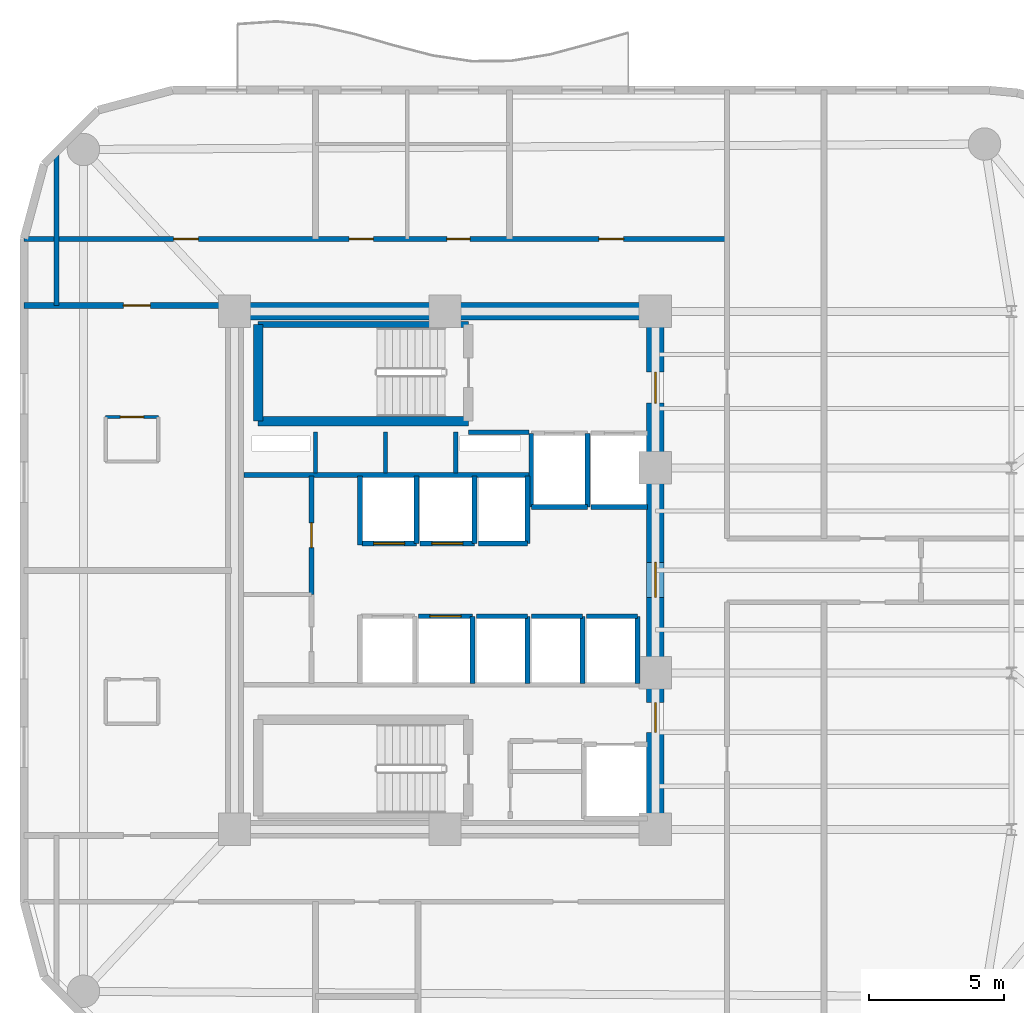
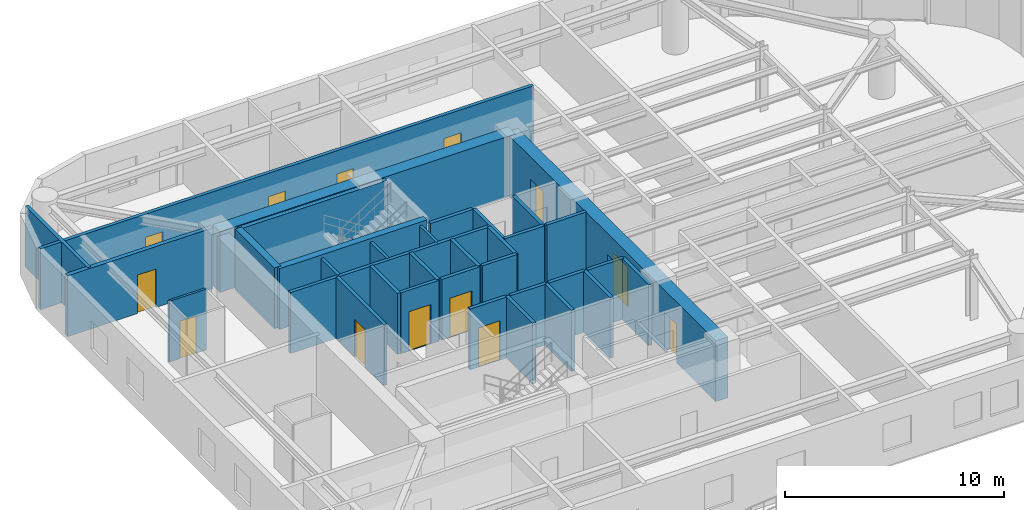
# One storey, part 11 of 15: 34 walls, 13 doors, 13 openings.
"""IFC4 building model written with IfcOpenShell, lengths in metres."""

import ifcopenshell
import ifcopenshell.guid

model = None  # the IFC model being written
_history = None  # IfcOwnerHistory: only IFC2X3 demands one
_inside = {}  # id of a spatial element -> (the spatial element, [elements in it])
_under = {}  # id of a project, library or spatial element -> (it, [spatial elements below it])
_declared = {}  # id of a project -> (the project, [libraries it declares])
_typed = {}  # id of a type object -> (the type object, [elements of that type])
_made_of = {}  # id of a material, layer set ... -> (it, [elements and type objects made of it])


def new_model(schema):
    """Start an empty IFC model of exactly this schema.

    Asked for "IFC4X3", IfcOpenShell would pick the latest addendum, in which some entities
    have other attributes; the version numbers below select the first issue.
    IFC2X3 requires an IfcOwnerHistory on every rooted entity: one is made here for all.
    """
    global model, _history
    if schema == "IFC4X3":
        model = ifcopenshell.file(schema_version=(4, 3, 0, 0))
    else:
        model = ifcopenshell.file(schema=schema)
    _inside.clear()
    _under.clear()
    _declared.clear()
    _typed.clear()
    _made_of.clear()
    _history = None
    if model.schema == "IFC2X3":
        org = make("IfcOrganization", Name="unknown")
        user = make(
            "IfcPersonAndOrganization",
            ThePerson=make("IfcPerson", FamilyName="unknown"),
            TheOrganization=org,
        )
        app = make(
            "IfcApplication",
            ApplicationDeveloper=org,
            Version="unknown",
            ApplicationFullName="unknown",
            ApplicationIdentifier="unknown",
        )
        _history = make(
            "IfcOwnerHistory",
            OwningUser=user,
            OwningApplication=app,
            ChangeAction="ADDED",
            CreationDate=0,
        )
    return model


def make(cls, **values):
    """One entity of the class cls with the attributes given. An attribute that is None is left unset."""
    return model.create_entity(
        cls, **{name: value for name, value in values.items() if value is not None}
    )


def rooted(cls, **values):
    """An entity with a GlobalId (a new one), such as an element, a storey or a relation."""
    return make(cls, GlobalId=ifcopenshell.guid.new(), OwnerHistory=_history, **values)


def si_unit(unit_type, name, prefix=None):
    """IfcSIUnit, for example si_unit("LENGTHUNIT", "METRE", prefix="MILLI")."""
    return make("IfcSIUnit", UnitType=unit_type, Prefix=prefix, Name=name)


def assignment(units):
    """IfcUnitAssignment: the units of a project."""
    return None if units is None else make("IfcUnitAssignment", Units=units)


def point(xyz):
    """IfcCartesianPoint."""
    return None if xyz is None else make("IfcCartesianPoint", Coordinates=xyz)


def direction(xyz):
    """IfcDirection."""
    return None if xyz is None else make("IfcDirection", DirectionRatios=xyz)


def frame(location, z_axis=None, x_axis=None):
    """IfcAxis2Placement3D, a coordinate frame: its origin and axes. An axis left out is left unset."""
    return make(
        "IfcAxis2Placement3D",
        Location=point(location),
        Axis=direction(z_axis),
        RefDirection=direction(x_axis),
    )


def frame_2d(location, x_axis=None):
    """IfcAxis2Placement2D, a coordinate frame in the plane: its origin and x axis."""
    return make(
        "IfcAxis2Placement2D", Location=point(location), RefDirection=direction(x_axis)
    )


def origin():
    """The frame at (0, 0, 0) with its axes left unset."""
    return frame((0.0, 0.0, 0.0))


def place(relative_to, where):
    """IfcLocalPlacement: puts the frame where relative to a parent placement (None: the world)."""
    return make(
        "IfcLocalPlacement", PlacementRelTo=relative_to, RelativePlacement=where
    )


def context(
    kind, dimensions, precision=None, world=None, true_north=None, identifier=None
):
    """IfcGeometricRepresentationContext, for example the 3D "Model" context."""
    return make(
        "IfcGeometricRepresentationContext",
        ContextIdentifier=identifier,
        ContextType=kind,
        CoordinateSpaceDimension=dimensions,
        Precision=precision,
        WorldCoordinateSystem=world,
        TrueNorth=true_north,
    )


def subcontext(parent, identifier, kind, view, scale=None):
    """IfcGeometricRepresentationSubContext, for example "Body" below "Model"."""
    return make(
        "IfcGeometricRepresentationSubContext",
        ContextIdentifier=identifier,
        ContextType=kind,
        ParentContext=parent,
        TargetScale=scale,
        TargetView=view,
    )


def project(units=None, contexts=None):
    """IfcProject with its units and contexts."""
    return rooted(
        "IfcProject",
        Name="project",
        RepresentationContexts=contexts,
        UnitsInContext=assignment(units),
    )


def spatial(cls, under=None, at=None, **own):
    """A site, building, storey or space (cls), placed at a placement, below another one or the project."""
    s = rooted(cls, ObjectPlacement=at, **own)
    if under is not None:
        _under.setdefault(under.id(), (under, []))[1].append(s)
    return s


def profile(cls, at=None, kind="AREA", **sizes):
    """A parametric profile (cls). Its sizes go by their IFC names, for example OverallWidth=200.0."""
    return make(cls, ProfileType=kind, Position=at, **sizes)


def rectangle(**sizes):
    """IfcRectangleProfileDef."""
    return profile("IfcRectangleProfileDef", **sizes)


def extrude(swept, where, along, depth):
    """IfcExtrudedAreaSolid: the profile swept, set in the frame where, extruded along a direction by depth."""
    return make(
        "IfcExtrudedAreaSolid",
        SweptArea=swept,
        Position=where,
        ExtrudedDirection=direction(along),
        Depth=depth,
    )


def shape(context_of_items, identifier, shape_type, items):
    """IfcShapeRepresentation: the items that make up one representation, for example the "Body"."""
    return make(
        "IfcShapeRepresentation",
        ContextOfItems=context_of_items,
        RepresentationIdentifier=identifier,
        RepresentationType=shape_type,
        Items=items,
    )


def material(Name=None, Category=None):
    """IfcMaterial."""
    return make("IfcMaterial", Name=Name, Category=Category)


def layer(
    of_material, thickness, ventilated=None, Name=None, Category=None, Priority=None
):
    """IfcMaterialLayer: one layer of a wall or slab, of a material (None: an air gap)."""
    return make(
        "IfcMaterialLayer",
        Material=of_material,
        LayerThickness=thickness,
        IsVentilated=ventilated,
        Name=Name,
        Category=Category,
        Priority=Priority,
    )


def layer_set(layers, Name=None):
    """IfcMaterialLayerSet."""
    return make("IfcMaterialLayerSet", MaterialLayers=layers, LayerSetName=Name)


def made_of(thing, what):
    """Note that an element or type object is made of a material, layer set ...; save() writes the relation."""
    if what is not None:
        _made_of.setdefault(what.id(), (what, []))[1].append(thing)
    return thing


def type_object(cls, material=None, **own):
    """A type object (cls), such as IfcWallType, which elements share."""
    return made_of(rooted(cls, **own), material)


def element(
    cls,
    number,
    at=None,
    inside=None,
    cuts=None,
    type_object=None,
    material=None,
    context=None,
    identifier="Body",
    shape_type=None,
    held_by="IfcProductDefinitionShape",
    body=None,
    shapes=None,
    **own,
):
    """One element of the class cls, such as IfcWall. Its Tag is "e" and its number.

    at: its placement. inside: the storey or other place that contains it. cuts: it is an
    opening in that element (IfcRelVoidsElement). A single representation is given by context,
    identifier, shape_type and body (its items); several are given by shapes. held_by: the class
    of the entity that holds the representations. save() writes the other relations.
    """
    e = rooted(cls, Tag="e%d" % number, ObjectPlacement=at, **own)
    if body is not None:
        shapes = [shape(context, identifier, shape_type, body)]
    if shapes is not None:
        e.Representation = make(held_by, Representations=shapes)
    if inside is not None:
        _inside.setdefault(inside.id(), (inside, []))[1].append(e)
    if cuts is not None:
        rooted(
            "IfcRelVoidsElement", RelatingBuildingElement=cuts, RelatedOpeningElement=e
        )
    if type_object is not None:
        _typed.setdefault(type_object.id(), (type_object, []))[1].append(e)
    return made_of(e, material)


def fill(opening, filler):
    """IfcRelFillsElement: the door or window that sits in an opening."""
    return rooted(
        "IfcRelFillsElement",
        RelatingOpeningElement=opening,
        RelatedBuildingElement=filler,
    )


def aggregate(whole, parts):
    """IfcRelAggregates: a whole, such as a stair, and the parts it consists of."""
    return rooted("IfcRelAggregates", RelatingObject=whole, RelatedObjects=parts)


def save(model, path):
    """Write the relations noted so far, then the file.

    IfcRelAggregates (storeys below a building ...), IfcRelContainedInSpatialStructure (elements
    in a storey), IfcRelDefinesByType, IfcRelAssociatesMaterial and IfcRelDeclares: one each for
    every whole, place, type object, material and project.
    """
    for whole, parts in _under.values():
        aggregate(whole, parts)
    for where, things in _inside.values():
        rooted(
            "IfcRelContainedInSpatialStructure",
            RelatedElements=things,
            RelatingStructure=where,
        )
    for kind, things in _typed.values():
        rooted("IfcRelDefinesByType", RelatedObjects=things, RelatingType=kind)
    for what, things in _made_of.values():
        rooted("IfcRelAssociatesMaterial", RelatedObjects=things, RelatingMaterial=what)
    for by, libraries in _declared.values():
        rooted("IfcRelDeclares", RelatingContext=by, RelatedDefinitions=libraries)
    model.write(path)


model = new_model("IFC4")

# Units and contexts
model_context = context("Model", 3, precision=1e-05, world=origin(), true_north=direction((0.0, 1.0)))
body_context = subcontext(model_context, "Body", "Model", "MODEL_VIEW")
ifc_project = project(units=[si_unit("LENGTHUNIT", "METRE"), si_unit("AREAUNIT", "SQUARE_METRE"), si_unit("VOLUMEUNIT", "CUBIC_METRE"), si_unit("PLANEANGLEUNIT", "RADIAN"), si_unit("MASSUNIT", "GRAM", prefix="KILO")], contexts=[model_context])

# Site, building, storey
site_placement = place(None, origin())
site = spatial("IfcSite", under=ifc_project, at=site_placement, CompositionType="ELEMENT")
building_placement = place(site_placement, origin())
building = spatial("IfcBuilding", under=site, at=building_placement, Name="An Khanh Terracotta Commons", CompositionType="ELEMENT")
storey_placement = place(building_placement, frame((0.0, 0.0, 176.199951171875)))
storey = spatial("IfcBuildingStorey", under=building, at=storey_placement, Name="L46", CompositionType="ELEMENT", Elevation=176.199951171875)

# Wall
ifc_material_1 = material(Name="Concrete C60/75", Category="concrete")
ifc_layer_1 = layer(ifc_material_1, 0.64990234375, Name="Concrete C60/75")
ifc_layer_set_1 = layer_set([ifc_layer_1], Name="Concrete C60/75")
wall_type_1 = type_object("IfcWallType", Name="WALL-CORE-650", PredefinedType="SHEAR", material=ifc_layer_set_1)
wall_1_placement = place(storey_placement, frame((21.60009765625, 33.60009765625, 0.0), z_axis=(0.0, 0.0, 1.0), x_axis=(1.0, 0.0, 0.0)))
element("IfcWall", 1, at=wall_1_placement, inside=storey, type_object=wall_type_1, Name="L46 Core Wall CWALL-L46-N", PredefinedType="SHEAR", context=body_context, shape_type="SweptSolid", body=[
    extrude(rectangle(XDim=15.599853515625, YDim=0.64990234375, at=frame_2d((7.7998046875, 0.0))), origin(), (0.0, 0.0, 1.0), 3.400146484375),
])

# Wall, openings, doors
wall_2_placement = place(storey_placement, frame((37.199951171875, 14.39990234375, 0.0), z_axis=(0.0, 0.0, 1.0), x_axis=(0.0, 1.0, 0.0)))
wall_2 = element("IfcWall", 2, at=wall_2_placement, inside=storey, type_object=wall_type_1, Name="L46 Core Wall CWALL-L46-E", PredefinedType="SHEAR", context=body_context, shape_type="SweptSolid", body=[
    extrude(rectangle(XDim=19.2001953125, YDim=0.64990234375, at=frame_2d((9.60009765625, 0.0))), origin(), (0.0, 0.0, 1.0), 3.400146484375),
])
opening_1_placement = place(wall_2_placement, frame((15.800048828125, 0.0, 0.0)))
opening_1 = element("IfcOpeningElement", 3, at=opening_1_placement, cuts=wall_2, Name="Opening D-FFL", PredefinedType="OPENING", context=body_context, shape_type="SweptSolid", body=[
    extrude(rectangle(XDim=1.14990234375, YDim=2.14990234375, at=frame_2d((0.574951171875, 1.074951171875))), frame((0.0, 0.3349609375, 0.0), z_axis=(0.0, -1.0, 0.0), x_axis=(1.0, 0.0, 0.0)), (0.0, 0.0, 1.0), 0.669921875),
])
opening_2_placement = place(wall_2_placement, frame((3.60009765625, 0.0, 0.0)))
opening_2 = element("IfcOpeningElement", 4, at=opening_2_placement, cuts=wall_2, Name="Opening D-ST", PredefinedType="OPENING", context=body_context, shape_type="SweptSolid", body=[
    extrude(rectangle(XDim=1.10009765625, YDim=2.14990234375, at=frame_2d((0.550048828125, 1.074951171875))), frame((0.0, 0.3349609375, 0.0), z_axis=(0.0, -1.0, 0.0), x_axis=(1.0, 0.0, 0.0)), (0.0, 0.0, 1.0), 0.669921875),
])
opening_3_placement = place(wall_2_placement, frame((8.60009765625, 0.0, 0.0)))
opening_3 = element("IfcOpeningElement", 5, at=opening_3_placement, cuts=wall_2, Name="Opening D-COR", PredefinedType="OPENING", context=body_context, shape_type="SweptSolid", body=[
    extrude(rectangle(XDim=1.300048828125, YDim=2.199951171875, at=frame_2d((0.64990234375, 1.10009765625))), frame((0.0, 0.3349609375, 0.0), z_axis=(0.0, -1.0, 0.0), x_axis=(1.0, 0.0, 0.0)), (0.0, 0.0, 1.0), 0.669921875),
])
ifc_material_2 = material(Name="Fire-Rated Glazed Steel Double Door", Category="steel")
door_type_1 = type_object("IfcDoorType", Name="DOOR-CORR-1300", OperationType="NOTDEFINED", PredefinedType="DOOR", material=ifc_material_2)
door_1_placement = place(opening_3_placement, origin())
door_1 = element("IfcDoor", 6, at=door_1_placement, inside=storey, type_object=door_type_1, Name="L46 Passenger Lift Lobby Double Door", OperationType="DOUBLE_DOOR_SINGLE_SWING", OverallHeight=2.199951171875, OverallWidth=1.300048828125, PredefinedType="DOOR", context=body_context, shape_type="SweptSolid", body=[
    extrude(rectangle(XDim=1.300048828125, YDim=2.199951171875, at=frame_2d((0.64990234375, 1.10009765625))), frame((0.0, 0.02490234375, 0.0), z_axis=(0.0, -1.0, 0.0), x_axis=(1.0, 0.0, 0.0)), (0.0, 0.0, 1.0), 0.050048828125),
])
fill(opening_3, door_1)
ifc_material_3 = material(Name="Fire-Rated Steel Leaf and Vision Panel", Category="steel")
door_type_2 = type_object("IfcDoorType", Name="DOOR-FFL-1150", OperationType="NOTDEFINED", PredefinedType="DOOR", material=ifc_material_3)
door_2_placement = place(opening_1_placement, origin())
door_2 = element("IfcDoor", 7, at=door_2_placement, inside=storey, type_object=door_type_2, Name="L46 Firefighting Lift Lobby Fire Door", OperationType="SINGLE_SWING_RIGHT", OverallHeight=2.14990234375, OverallWidth=1.14990234375, PredefinedType="DOOR", context=body_context, shape_type="SweptSolid", body=[
    extrude(rectangle(XDim=1.14990234375, YDim=2.14990234375, at=frame_2d((0.574951171875, 1.074951171875))), frame((0.0, 0.02490234375, 0.0), z_axis=(0.0, -1.0, 0.0), x_axis=(1.0, 0.0, 0.0)), (0.0, 0.0, 1.0), 0.050048828125),
])
fill(opening_1, door_2)
ifc_material_4 = material(Name="Fire-Rated Steel Leaf and Frame", Category="steel")
door_type_3 = type_object("IfcDoorType", Name="DOOR-STAIR-1100", OperationType="NOTDEFINED", PredefinedType="DOOR", material=ifc_material_4)
door_3_placement = place(opening_2_placement, origin())
door_3 = element("IfcDoor", 8, at=door_3_placement, inside=storey, type_object=door_type_3, Name="L46 South Stair Lobby Fire Door", OperationType="SINGLE_SWING_LEFT", OverallHeight=2.14990234375, OverallWidth=1.10009765625, PredefinedType="DOOR", context=body_context, shape_type="SweptSolid", body=[
    extrude(rectangle(XDim=1.10009765625, YDim=2.14990234375, at=frame_2d((0.550048828125, 1.074951171875))), frame((0.0, 0.02490234375, 0.0), z_axis=(0.0, -1.0, 0.0), x_axis=(1.0, 0.0, 0.0)), (0.0, 0.0, 1.0), 0.050048828125),
])
fill(opening_2, door_3)

# Walls
ifc_material_5 = material(Name="Fire-Rated Gypsum Board on Steel Stud", Category="steel")
ifc_layer_2 = layer(ifc_material_5, 0.179931640625, Name="Fire-Rated Gypsum Board on Steel Stud")
ifc_layer_set_2 = layer_set([ifc_layer_2], Name="Fire-Rated Gypsum Board on Steel Stud")
wall_type_2 = type_object("IfcWallType", Name="WALL-CORR-180", PredefinedType="PARTITIONING", material=ifc_layer_set_2)
wall_3_placement = place(storey_placement, frame((30.27001953125, 29.1201171875, 0.0), z_axis=(0.0, 0.0, 1.0), x_axis=(1.0, 0.0, 0.0)))
element("IfcWall", 9, at=wall_3_placement, inside=storey, type_object=wall_type_2, Name="L46 Core Wall FFLW-L46-S", PredefinedType="PARTITIONING", context=body_context, shape_type="SweptSolid", body=[
    extrude(rectangle(XDim=2.239990234375, YDim=0.179931640625, at=frame_2d((1.1201171875, 0.0))), origin(), (0.0, 0.0, 1.0), 3.400146484375),
])
wall_4_placement = place(storey_placement, frame((21.949951171875, 27.5400390625, 0.0), z_axis=(0.0, 0.0, 1.0), x_axis=(1.0, 0.0, 0.0)))
element("IfcWall", 10, at=wall_4_placement, inside=storey, type_object=wall_type_2, Name="L46 Core Wall RSRW-L46-S", PredefinedType="PARTITIONING", context=body_context, shape_type="SweptSolid", body=[
    extrude(rectangle(XDim=10.56005859375, YDim=0.179931640625, at=frame_2d((5.280029296875, 0.0))), origin(), (0.0, 0.0, 1.0), 3.400146484375),
])
wall_5_placement = place(storey_placement, frame((34.679931640625, 26.35009765625, 0.0), z_axis=(0.0, 0.0, 1.0), x_axis=(-1.0, 0.0, 0.0)))
element("IfcWall", 11, at=wall_5_placement, inside=storey, type_object=wall_type_2, Name="L46 Core Wall LSH-L46-FFL-01-S", PredefinedType="PARTITIONING", context=body_context, shape_type="SweptSolid", body=[
    extrude(rectangle(XDim=2.079833984375, YDim=0.179931640625, at=frame_2d((1.0400390625, 0.0))), origin(), (0.0, 0.0, 1.0), 3.400146484375),
])
for number, where, z_axis, x_axis, name in (
    (12, (34.679931640625, 26.35009765625, 0.0), (0.0, 0.0, 1.0), (0.0, 1.0, 0.0), "L46 Core Wall LSH-L46-FFL-01-E"),
    (13, (32.60009765625, 29.080078125, 0.0), (0.0, 0.0, 1.0), (0.0, -1.0, 0.0), "L46 Core Wall LSH-L46-FFL-01-W"),
):
    element("IfcWall", number, at=place(storey_placement, frame(where, z_axis=z_axis, x_axis=x_axis)), inside=storey, type_object=wall_type_2, Name=name, PredefinedType="PARTITIONING", context=body_context, shape_type="SweptSolid", body=[
        extrude(rectangle(XDim=2.72998046875, YDim=0.179931640625, at=frame_2d((1.364990234375, 0.0))), origin(), (0.0, 0.0, 1.0), 3.400146484375),
    ])
wall_6_placement = place(storey_placement, frame((36.89990234375, 26.35009765625, 0.0), z_axis=(0.0, 0.0, 1.0), x_axis=(-1.0, 0.0, 0.0)))
element("IfcWall", 14, at=wall_6_placement, inside=storey, type_object=wall_type_2, Name="L46 Core Wall LSH-L46-FFL-02-S", PredefinedType="PARTITIONING", context=body_context, shape_type="SweptSolid", body=[
    extrude(rectangle(XDim=2.079833984375, YDim=0.179931640625, at=frame_2d((1.0400390625, 0.0))), origin(), (0.0, 0.0, 1.0), 3.400146484375),
])

# Wall, opening, door
wall_7_placement = place(storey_placement, frame((28.340087890625, 25.0, 0.0), z_axis=(0.0, 0.0, 1.0), x_axis=(-1.0, 0.0, 0.0)))
wall_7 = element("IfcWall", 15, at=wall_7_placement, inside=storey, type_object=wall_type_2, Name="L46 Core Wall LSH-L46-PL-M1-S", PredefinedType="PARTITIONING", context=body_context, shape_type="SweptSolid", body=[
    extrude(rectangle(XDim=2.02001953125, YDim=0.179931640625, at=frame_2d((1.010009765625, 0.0))), origin(), (0.0, 0.0, 1.0), 3.400146484375),
])
opening_4_placement = place(wall_7_placement, frame((0.43505859375, 0.0, 0.0)))
opening_4 = element("IfcOpeningElement", 16, at=opening_4_placement, cuts=wall_7, Name="Opening LD-PL-M1-L46", PredefinedType="OPENING", context=body_context, shape_type="SweptSolid", body=[
    extrude(rectangle(XDim=1.14990234375, YDim=2.199951171875, at=frame_2d((0.574951171875, 1.10009765625))), frame((0.0, 0.099853515625, 0.0), z_axis=(0.0, -1.0, 0.0), x_axis=(1.0, 0.0, 0.0)), (0.0, 0.0, 1.0), 0.199951171875),
])
ifc_material_6 = material(Name="Brushed Stainless Steel Passenger Landing Door", Category="steel")
door_type_4 = type_object("IfcDoorType", Name="DOOR-LD-PAX-1150", OperationType="NOTDEFINED", PredefinedType="DOOR", material=ifc_material_6)
door_4_placement = place(opening_4_placement, origin())
door_4 = element("IfcDoor", 17, at=door_4_placement, inside=storey, type_object=door_type_4, Name="L46 Lift PL-M1 Sliding Landing Door", OperationType="DOUBLE_DOOR_SLIDING", OverallHeight=2.199951171875, OverallWidth=1.14990234375, PredefinedType="DOOR", context=body_context, shape_type="SweptSolid", body=[
    extrude(rectangle(XDim=1.14990234375, YDim=2.199951171875, at=frame_2d((0.574951171875, 1.10009765625))), frame((0.0, 0.02490234375, 0.0), z_axis=(0.0, -1.0, 0.0), x_axis=(1.0, 0.0, 0.0)), (0.0, 0.0, 1.0), 0.050048828125),
])
fill(opening_4, door_4)

# Wall
wall_8_placement = place(storey_placement, frame((28.340087890625, 25.0, 0.0), z_axis=(0.0, 0.0, 1.0), x_axis=(0.0, 1.0, 0.0)))
element("IfcWall", 18, at=wall_8_placement, inside=storey, type_object=wall_type_2, Name="L46 Core Wall LSH-L46-PL-M1-E", PredefinedType="PARTITIONING", context=body_context, shape_type="SweptSolid", body=[
    extrude(rectangle(XDim=2.5, YDim=0.179931640625, at=frame_2d((1.25, 0.0))), origin(), (0.0, 0.0, 1.0), 3.400146484375),
])

# Wall, opening, door
wall_9_placement = place(storey_placement, frame((30.5, 25.0, 0.0), z_axis=(0.0, 0.0, 1.0), x_axis=(-1.0, 0.0, 0.0)))
wall_9 = element("IfcWall", 19, at=wall_9_placement, inside=storey, type_object=wall_type_2, Name="L46 Core Wall LSH-L46-PL-M2-S", PredefinedType="PARTITIONING", context=body_context, shape_type="SweptSolid", body=[
    extrude(rectangle(XDim=2.02001953125, YDim=0.179931640625, at=frame_2d((1.010009765625, 0.0))), origin(), (0.0, 0.0, 1.0), 3.400146484375),
])
opening_5_placement = place(wall_9_placement, frame((0.43505859375, 0.0, 0.0)))
opening_5 = element("IfcOpeningElement", 20, at=opening_5_placement, cuts=wall_9, Name="Opening LD-PL-M2-L46", PredefinedType="OPENING", context=body_context, shape_type="SweptSolid", body=[
    extrude(rectangle(XDim=1.14990234375, YDim=2.199951171875, at=frame_2d((0.574951171875, 1.10009765625))), frame((0.0, 0.099853515625, 0.0), z_axis=(0.0, -1.0, 0.0), x_axis=(1.0, 0.0, 0.0)), (0.0, 0.0, 1.0), 0.199951171875),
])
door_5_placement = place(opening_5_placement, origin())
door_5 = element("IfcDoor", 21, at=door_5_placement, inside=storey, type_object=door_type_4, Name="L46 Lift PL-M2 Sliding Landing Door", OperationType="DOUBLE_DOOR_SLIDING", OverallHeight=2.199951171875, OverallWidth=1.14990234375, PredefinedType="DOOR", context=body_context, shape_type="SweptSolid", body=[
    extrude(rectangle(XDim=1.14990234375, YDim=2.199951171875, at=frame_2d((0.574951171875, 1.10009765625))), frame((0.0, 0.02490234375, 0.0), z_axis=(0.0, -1.0, 0.0), x_axis=(1.0, 0.0, 0.0)), (0.0, 0.0, 1.0), 0.050048828125),
])
fill(opening_5, door_5)

# Wall
wall_10_placement = place(storey_placement, frame((30.5, 25.0, 0.0), z_axis=(0.0, 0.0, 1.0), x_axis=(0.0, 1.0, 0.0)))
element("IfcWall", 22, at=wall_10_placement, inside=storey, type_object=wall_type_2, Name="L46 Core Wall LSH-L46-PL-M2-E", PredefinedType="PARTITIONING", context=body_context, shape_type="SweptSolid", body=[
    extrude(rectangle(XDim=2.5, YDim=0.179931640625, at=frame_2d((1.25, 0.0))), origin(), (0.0, 0.0, 1.0), 3.400146484375),
])

# Wall, opening, door
wall_11_placement = place(storey_placement, frame((28.419921875, 22.300048828125, 0.0), z_axis=(0.0, 0.0, 1.0), x_axis=(1.0, 0.0, 0.0)))
wall_11 = element("IfcWall", 23, at=wall_11_placement, inside=storey, type_object=wall_type_2, Name="L46 Core Wall LSH-L46-PL-M4-N", PredefinedType="PARTITIONING", context=body_context, shape_type="SweptSolid", body=[
    extrude(rectangle(XDim=2.0, YDim=0.179931640625, at=frame_2d((1.0, 0.0))), origin(), (0.0, 0.0, 1.0), 3.400146484375),
])
opening_6_placement = place(wall_11_placement, frame((0.425048828125, 0.0, 0.0)))
opening_6 = element("IfcOpeningElement", 24, at=opening_6_placement, cuts=wall_11, Name="Opening LD-PL-M4-L46", PredefinedType="OPENING", context=body_context, shape_type="SweptSolid", body=[
    extrude(rectangle(XDim=1.14990234375, YDim=2.199951171875, at=frame_2d((0.574951171875, 1.10009765625))), frame((0.0, 0.099853515625, 0.0), z_axis=(0.0, -1.0, 0.0), x_axis=(1.0, 0.0, 0.0)), (0.0, 0.0, 1.0), 0.199951171875),
])
door_6_placement = place(opening_6_placement, origin())
door_6 = element("IfcDoor", 25, at=door_6_placement, inside=storey, type_object=door_type_4, Name="L46 Lift PL-M4 Sliding Landing Door", OperationType="DOUBLE_DOOR_SLIDING", OverallHeight=2.199951171875, OverallWidth=1.14990234375, PredefinedType="DOOR", context=body_context, shape_type="SweptSolid", body=[
    extrude(rectangle(XDim=1.14990234375, YDim=2.199951171875, at=frame_2d((0.574951171875, 1.10009765625))), frame((0.0, 0.02490234375, 0.0), z_axis=(0.0, -1.0, 0.0), x_axis=(1.0, 0.0, 0.0)), (0.0, 0.0, 1.0), 0.050048828125),
])
fill(opening_6, door_6)

# Walls
wall_12_placement = place(storey_placement, frame((30.419921875, 19.800048828125, 0.0), z_axis=(0.0, 0.0, 1.0), x_axis=(0.0, 1.0, 0.0)))
element("IfcWall", 26, at=wall_12_placement, inside=storey, type_object=wall_type_2, Name="L46 Core Wall LSH-L46-PL-M4-E", PredefinedType="PARTITIONING", context=body_context, shape_type="SweptSolid", body=[
    extrude(rectangle(XDim=2.5, YDim=0.179931640625, at=frame_2d((1.25, 0.0))), origin(), (0.0, 0.0, 1.0), 3.400146484375),
])
wall_13_placement = place(storey_placement, frame((32.4599609375, 25.0, 0.0), z_axis=(0.0, 0.0, 1.0), x_axis=(-1.0, 0.0, 0.0)))
element("IfcWall", 27, at=wall_13_placement, inside=storey, type_object=wall_type_2, Name="L46 Core Wall LSH-L46-PL-H1-S", PredefinedType="PARTITIONING", context=body_context, shape_type="SweptSolid", body=[
    extrude(rectangle(XDim=1.820068359375, YDim=0.179931640625, at=frame_2d((0.91015625, 0.0))), origin(), (0.0, 0.0, 1.0), 3.400146484375),
])
wall_14_placement = place(storey_placement, frame((32.4599609375, 25.0, 0.0), z_axis=(0.0, 0.0, 1.0), x_axis=(0.0, 1.0, 0.0)))
element("IfcWall", 28, at=wall_14_placement, inside=storey, type_object=wall_type_2, Name="L46 Core Wall LSH-L46-PL-H1-E", PredefinedType="PARTITIONING", context=body_context, shape_type="SweptSolid", body=[
    extrude(rectangle(XDim=2.5, YDim=0.179931640625, at=frame_2d((1.25, 0.0))), origin(), (0.0, 0.0, 1.0), 3.400146484375),
])
wall_15_placement = place(storey_placement, frame((30.56005859375, 22.300048828125, 0.0), z_axis=(0.0, 0.0, 1.0), x_axis=(1.0, 0.0, 0.0)))
element("IfcWall", 29, at=wall_15_placement, inside=storey, type_object=wall_type_2, Name="L46 Core Wall LSH-L46-PL-H2-N", PredefinedType="PARTITIONING", context=body_context, shape_type="SweptSolid", body=[
    extrude(rectangle(XDim=1.89990234375, YDim=0.179931640625, at=frame_2d((0.949951171875, 0.0))), origin(), (0.0, 0.0, 1.0), 3.400146484375),
])
wall_16_placement = place(storey_placement, frame((32.4599609375, 19.800048828125, 0.0), z_axis=(0.0, 0.0, 1.0), x_axis=(0.0, 1.0, 0.0)))
element("IfcWall", 30, at=wall_16_placement, inside=storey, type_object=wall_type_2, Name="L46 Core Wall LSH-L46-PL-H2-E", PredefinedType="PARTITIONING", context=body_context, shape_type="SweptSolid", body=[
    extrude(rectangle(XDim=2.5, YDim=0.179931640625, at=frame_2d((1.25, 0.0))), origin(), (0.0, 0.0, 1.0), 3.400146484375),
])
wall_17_placement = place(storey_placement, frame((32.60009765625, 22.300048828125, 0.0), z_axis=(0.0, 0.0, 1.0), x_axis=(1.0, 0.0, 0.0)))
element("IfcWall", 31, at=wall_17_placement, inside=storey, type_object=wall_type_2, Name="L46 Core Wall LSH-L46-PL-H3-N", PredefinedType="PARTITIONING", context=body_context, shape_type="SweptSolid", body=[
    extrude(rectangle(XDim=1.89990234375, YDim=0.179931640625, at=frame_2d((0.949951171875, 0.0))), origin(), (0.0, 0.0, 1.0), 3.400146484375),
])
wall_18_placement = place(storey_placement, frame((34.5, 19.800048828125, 0.0), z_axis=(0.0, 0.0, 1.0), x_axis=(0.0, 1.0, 0.0)))
element("IfcWall", 32, at=wall_18_placement, inside=storey, type_object=wall_type_2, Name="L46 Core Wall LSH-L46-PL-H3-E", PredefinedType="PARTITIONING", context=body_context, shape_type="SweptSolid", body=[
    extrude(rectangle(XDim=2.5, YDim=0.179931640625, at=frame_2d((1.25, 0.0))), origin(), (0.0, 0.0, 1.0), 3.400146484375),
])
wall_19_placement = place(storey_placement, frame((34.639892578125, 22.300048828125, 0.0), z_axis=(0.0, 0.0, 1.0), x_axis=(1.0, 0.0, 0.0)))
element("IfcWall", 33, at=wall_19_placement, inside=storey, type_object=wall_type_2, Name="L46 Core Wall LSH-L46-PL-H4-N", PredefinedType="PARTITIONING", context=body_context, shape_type="SweptSolid", body=[
    extrude(rectangle(XDim=1.900146484375, YDim=0.179931640625, at=frame_2d((0.9501953125, 0.0))), origin(), (0.0, 0.0, 1.0), 3.400146484375),
])
wall_20_placement = place(storey_placement, frame((36.5400390625, 19.800048828125, 0.0), z_axis=(0.0, 0.0, 1.0), x_axis=(0.0, 1.0, 0.0)))
element("IfcWall", 34, at=wall_20_placement, inside=storey, type_object=wall_type_2, Name="L46 Core Wall LSH-L46-PL-H4-E", PredefinedType="PARTITIONING", context=body_context, shape_type="SweptSolid", body=[
    extrude(rectangle(XDim=2.5, YDim=0.179931640625, at=frame_2d((1.25, 0.0))), origin(), (0.0, 0.0, 1.0), 3.400146484375),
])

# Wall, opening, door
wall_21_placement = place(storey_placement, frame((24.4599609375, 23.10009765625, 0.0), z_axis=(0.0, 0.0, 1.0), x_axis=(0.0, 1.0, 0.0)))
wall_21 = element("IfcWall", 35, at=wall_21_placement, inside=storey, type_object=wall_type_2, Name="L46 Core Wall RECW-L46-E1", PredefinedType="PARTITIONING", context=body_context, shape_type="SweptSolid", body=[
    extrude(rectangle(XDim=4.39990234375, YDim=0.179931640625, at=frame_2d((2.199951171875, 0.0))), origin(), (0.0, 0.0, 1.0), 3.400146484375),
])
opening_7_placement = place(wall_21_placement, frame((1.739990234375, 0.0, 0.0)))
opening_7 = element("IfcOpeningElement", 36, at=opening_7_placement, cuts=wall_21, Name="Opening D-RM", PredefinedType="OPENING", context=body_context, shape_type="SweptSolid", body=[
    extrude(rectangle(XDim=0.919921875, YDim=2.10009765625, at=frame_2d((0.4599609375, 1.050048828125))), frame((0.0, 0.099853515625, 0.0), z_axis=(0.0, -1.0, 0.0), x_axis=(1.0, 0.0, 0.0)), (0.0, 0.0, 1.0), 0.199951171875),
])
ifc_material_7 = material(Name="Engineered Hardwood Timber Leaf", Category="wood")
door_type_5 = type_object("IfcDoorType", Name="DOOR-INT-920", OperationType="NOTDEFINED", PredefinedType="DOOR", material=ifc_material_7)
door_7_placement = place(opening_7_placement, origin())
door_7 = element("IfcDoor", 37, at=door_7_placement, inside=storey, type_object=door_type_5, Name="L46 Housekeeping Linen Room Door", OperationType="SINGLE_SWING_RIGHT", OverallHeight=2.10009765625, OverallWidth=0.919921875, PredefinedType="DOOR", context=body_context, shape_type="SweptSolid", body=[
    extrude(rectangle(XDim=0.919921875, YDim=2.10009765625, at=frame_2d((0.4599609375, 1.050048828125))), frame((0.0, 0.02490234375, 0.0), z_axis=(0.0, -1.0, 0.0), x_axis=(1.0, 0.0, 0.0)), (0.0, 0.0, 1.0), 0.050048828125),
])
fill(opening_7, door_7)

# Wall
wall_22_placement = place(storey_placement, frame((26.25, 24.949951171875, 0.0), z_axis=(0.0, 0.0, 1.0), x_axis=(0.0, 1.0, 0.0)))
element("IfcWall", 38, at=wall_22_placement, inside=storey, type_object=wall_type_2, Name="L46 Core Wall RECW-L46-BE1", PredefinedType="PARTITIONING", context=body_context, shape_type="SweptSolid", body=[
    extrude(rectangle(XDim=2.550048828125, YDim=0.179931640625, at=frame_2d((1.27490234375, 0.0))), origin(), (0.0, 0.0, 1.0), 3.400146484375),
])

# Wall, openings, doors
wall_23_placement = place(storey_placement, frame((13.800048828125, 36.280029296875, 0.0), z_axis=(0.0, 0.0, 1.0), x_axis=(1.0, 0.0, 0.0)))
wall_23 = element("IfcWall", 39, at=wall_23_placement, inside=storey, type_object=wall_type_2, Name="L46 Interior Partition IW-L46-E008", PredefinedType="PARTITIONING", context=body_context, shape_type="SweptSolid", body=[
    extrude(rectangle(XDim=26.050048828125, YDim=0.179931640625, at=frame_2d((13.02490234375, 0.0))), origin(), (0.0, 0.0, 1.0), 3.400146484375),
])
opening_8_placement = place(wall_23_placement, frame((12.050048828125, 0.0, 0.0)))
opening_8 = element("IfcOpeningElement", 40, at=opening_8_placement, cuts=wall_23, Name="Opening D-WC", PredefinedType="OPENING", context=body_context, shape_type="SweptSolid", body=[
    extrude(rectangle(XDim=0.89990234375, YDim=2.10009765625, at=frame_2d((0.449951171875, 1.050048828125))), frame((0.0, 0.099853515625, 0.0), z_axis=(0.0, -1.0, 0.0), x_axis=(1.0, 0.0, 0.0)), (0.0, 0.0, 1.0), 0.199951171875),
])
opening_9_placement = place(wall_23_placement, frame((15.669921875, 0.0, 0.0)))
opening_9 = element("IfcOpeningElement", 41, at=opening_9_placement, cuts=wall_23, Name="Opening D-ENS", PredefinedType="OPENING", context=body_context, shape_type="SweptSolid", body=[
    extrude(rectangle(XDim=0.860107421875, YDim=2.10009765625, at=frame_2d((0.43017578125, 1.050048828125))), frame((0.0, 0.099853515625, 0.0), z_axis=(0.0, -1.0, 0.0), x_axis=(1.0, 0.0, 0.0)), (0.0, 0.0, 1.0), 0.199951171875),
])
opening_10_placement = place(wall_23_placement, frame((5.5400390625, 0.0, 0.0)))
opening_10 = element("IfcOpeningElement", 42, at=opening_10_placement, cuts=wall_23, Name="Opening D-RM", PredefinedType="OPENING", context=body_context, shape_type="SweptSolid", body=[
    extrude(rectangle(XDim=0.919921875, YDim=2.10009765625, at=frame_2d((0.4599609375, 1.050048828125))), frame((0.0, 0.099853515625, 0.0), z_axis=(0.0, -1.0, 0.0), x_axis=(1.0, 0.0, 0.0)), (0.0, 0.0, 1.0), 0.199951171875),
])
opening_11_placement = place(wall_23_placement, frame((21.304931640625, 0.0, 0.0)))
opening_11 = element("IfcOpeningElement", 43, at=opening_11_placement, cuts=wall_23, Name="Opening D-RM", PredefinedType="OPENING", context=body_context, shape_type="SweptSolid", body=[
    extrude(rectangle(XDim=0.919921875, YDim=2.10009765625, at=frame_2d((0.4599609375, 1.050048828125))), frame((0.0, 0.099853515625, 0.0), z_axis=(0.0, -1.0, 0.0), x_axis=(1.0, 0.0, 0.0)), (0.0, 0.0, 1.0), 0.199951171875),
])
ifc_material_8 = material(Name="Moisture-Resistant Hardwood Timber Leaf", Category="wood")
door_type_6 = type_object("IfcDoorType", Name="DOOR-BATH-860", OperationType="NOTDEFINED", PredefinedType="DOOR", material=ifc_material_8)
door_8_placement = place(opening_9_placement, origin())
door_8 = element("IfcDoor", 44, at=door_8_placement, inside=storey, type_object=door_type_6, Name="L46 SHW Resident Shared Shower and Washroom Door", OperationType="SINGLE_SWING_LEFT", OverallHeight=2.10009765625, OverallWidth=0.860107421875, PredefinedType="DOOR", context=body_context, shape_type="SweptSolid", body=[
    extrude(rectangle(XDim=0.860107421875, YDim=2.10009765625, at=frame_2d((0.43017578125, 1.050048828125))), frame((0.0, 0.02490234375, 0.0), z_axis=(0.0, -1.0, 0.0), x_axis=(1.0, 0.0, 0.0)), (0.0, 0.0, 1.0), 0.050048828125),
])
fill(opening_9, door_8)
door_9_placement = place(opening_10_placement, origin())
door_9 = element("IfcDoor", 45, at=door_9_placement, inside=storey, type_object=door_type_5, Name="L46 NW1 Group Tutorial Meeting Room Door", OperationType="SINGLE_SWING_RIGHT", OverallHeight=2.10009765625, OverallWidth=0.919921875, PredefinedType="DOOR", context=body_context, shape_type="SweptSolid", body=[
    extrude(rectangle(XDim=0.919921875, YDim=2.10009765625, at=frame_2d((0.4599609375, 1.050048828125))), frame((0.0, 0.02490234375, 0.0), z_axis=(0.0, -1.0, 0.0), x_axis=(1.0, 0.0, 0.0)), (0.0, 0.0, 1.0), 0.050048828125),
])
fill(opening_10, door_9)
door_10_placement = place(opening_11_placement, origin())
door_10 = element("IfcDoor", 46, at=door_10_placement, inside=storey, type_object=door_type_5, Name="L46 NWE Student Reading Library Door", OperationType="SINGLE_SWING_LEFT", OverallHeight=2.10009765625, OverallWidth=0.919921875, PredefinedType="DOOR", context=body_context, shape_type="SweptSolid", body=[
    extrude(rectangle(XDim=0.919921875, YDim=2.10009765625, at=frame_2d((0.4599609375, 1.050048828125))), frame((0.0, 0.02490234375, 0.0), z_axis=(0.0, -1.0, 0.0), x_axis=(1.0, 0.0, 0.0)), (0.0, 0.0, 1.0), 0.050048828125),
])
fill(opening_11, door_10)
ifc_material_9 = material(Name="Laminate Moisture-Resistant Timber Leaf", Category="wood")
door_type_7 = type_object("IfcDoorType", Name="DOOR-WC-900", OperationType="NOTDEFINED", PredefinedType="DOOR", material=ifc_material_9)
door_11_placement = place(opening_8_placement, origin())
door_11 = element("IfcDoor", 47, at=door_11_placement, inside=storey, type_object=door_type_7, Name="L46 AWC Accessible WC Door", OperationType="SINGLE_SWING_RIGHT", OverallHeight=2.10009765625, OverallWidth=0.89990234375, PredefinedType="DOOR", context=body_context, shape_type="SweptSolid", body=[
    extrude(rectangle(XDim=0.89990234375, YDim=2.10009765625, at=frame_2d((0.449951171875, 1.050048828125))), frame((0.0, 0.02490234375, 0.0), z_axis=(0.0, -1.0, 0.0), x_axis=(1.0, 0.0, 0.0)), (0.0, 0.0, 1.0), 0.050048828125),
])
fill(opening_8, door_11)

# Walls
wall_24_placement = place(storey_placement, frame((15.0, 33.820068359375, 0.0), z_axis=(0.0, 0.0, 1.0), x_axis=(0.0, 1.0, 0.0)))
element("IfcWall", 48, at=wall_24_placement, inside=storey, type_object=wall_type_2, Name="L46 Interior Partition IW-L46-E011", PredefinedType="PARTITIONING", context=body_context, shape_type="SweptSolid", body=[
    extrude(rectangle(XDim=5.69287109375, YDim=0.179931640625, at=frame_2d((2.846435546875, 0.0))), origin(), (0.0, 0.0, 1.0), 3.400146484375),
])
ifc_material_10 = material(Name="Acoustic Gypsum Board Partition")
ifc_layer_3 = layer(ifc_material_10, 0.14990234375, Name="Acoustic Gypsum Board Partition")
ifc_layer_set_3 = layer_set([ifc_layer_3], Name="Acoustic Gypsum Board Partition")
wall_type_3 = type_object("IfcWallType", Name="WALL-PART-150", PredefinedType="PARTITIONING", material=ifc_layer_set_3)
for number, where, z_axis, x_axis, name in (
    (49, (24.60009765625, 27.60009765625, 0.0), (0.0, 0.0, 1.0), (0.0, 1.0, 0.0), "L46 Core Wall RSRW-L46-D1"),
    (50, (27.199951171875, 27.60009765625, 0.0), (0.0, 0.0, 1.0), (0.0, 1.0, 0.0), "L46 Core Wall RSRW-L46-D2"),
    (51, (29.800048828125, 27.60009765625, 0.0), (0.0, 0.0, 1.0), (0.0, 1.0, 0.0), "L46 Core Wall RSRW-L46-D3"),
):
    element("IfcWall", number, at=place(storey_placement, frame(where, z_axis=z_axis, x_axis=x_axis)), inside=storey, type_object=wall_type_3, Name=name, PredefinedType="PARTITIONING", context=body_context, shape_type="SweptSolid", body=[
        extrude(rectangle(XDim=1.52001953125, YDim=0.14990234375, at=frame_2d((0.760009765625, 0.0))), origin(), (0.0, 0.0, 1.0), 3.400146484375),
    ])
ifc_material_11 = material(Name="Acoustic Double-Stud Gypsum and Mineral Wool")
ifc_layer_4 = layer(ifc_material_11, 0.219970703125, Name="Acoustic Double-Stud Gypsum and Mineral Wool")
ifc_layer_set_4 = layer_set([ifc_layer_4], Name="Acoustic Double-Stud Gypsum and Mineral Wool")
wall_type_4 = type_object("IfcWallType", Name="WALL-PARTY-220", PredefinedType="PARTITIONING", material=ifc_layer_set_4)
wall_25_placement = place(storey_placement, frame((22.47998046875, 33.110107421875, 0.0), z_axis=(0.0, 0.0, 1.0), x_axis=(1.0, 0.0, 0.0)))
element("IfcWall", 52, at=wall_25_placement, inside=storey, type_object=wall_type_4, Name="L46 Core Wall STW-L46-N-N", PredefinedType="PARTITIONING", context=body_context, shape_type="SweptSolid", body=[
    extrude(rectangle(XDim=7.7900390625, YDim=0.219970703125, at=frame_2d((3.89501953125, 0.0))), origin(), (0.0, 0.0, 1.0), 3.400146484375),
])

# Wall, opening, door
wall_26_placement = place(storey_placement, frame((13.800048828125, 33.820068359375, 0.0), z_axis=(0.0, 0.0, 1.0), x_axis=(1.0, 0.0, 0.0)))
wall_26 = element("IfcWall", 53, at=wall_26_placement, inside=storey, type_object=wall_type_4, Name="L46 Interior Partition IW-L46-E007", PredefinedType="PARTITIONING", context=body_context, shape_type="SweptSolid", body=[
    extrude(rectangle(XDim=7.679931640625, YDim=0.219970703125, at=frame_2d((3.83984375, 0.0))), origin(), (0.0, 0.0, 1.0), 3.400146484375),
])
opening_12_placement = place(wall_26_placement, frame((3.679931640625, 0.0, 0.0)))
opening_12 = element("IfcOpeningElement", 54, at=opening_12_placement, cuts=wall_26, Name="Opening D-UN", PredefinedType="OPENING", context=body_context, shape_type="SweptSolid", body=[
    extrude(rectangle(XDim=1.0, YDim=2.14990234375, at=frame_2d((0.5, 1.074951171875))), frame((0.0, 0.119873046875, 0.0), z_axis=(0.0, -1.0, 0.0), x_axis=(1.0, 0.0, 0.0)), (0.0, 0.0, 1.0), 0.239990234375),
])
ifc_material_12 = material(Name="Solid-Core Hardwood Acoustic Fire Door", Category="wood")
door_type_8 = type_object("IfcDoorType", Name="DOOR-UNIT-1000", OperationType="NOTDEFINED", PredefinedType="DOOR", material=ifc_material_12)
door_12_placement = place(opening_12_placement, origin())
door_12 = element("IfcDoor", 55, at=door_12_placement, inside=storey, type_object=door_type_8, Name="L46 WW2 Kitchenette and Studio Apartment Door", OperationType="SINGLE_SWING_LEFT", OverallHeight=2.14990234375, OverallWidth=1.0, PredefinedType="DOOR", context=body_context, shape_type="SweptSolid", body=[
    extrude(rectangle(XDim=1.0, YDim=2.14990234375, at=frame_2d((0.5, 1.074951171875))), frame((0.0, 0.02490234375, 0.0), z_axis=(0.0, -1.0, 0.0), x_axis=(1.0, 0.0, 0.0)), (0.0, 0.0, 1.0), 0.050048828125),
])
fill(opening_12, door_12)

# Walls
ifc_material_13 = material(Name="Concrete C50/60", Category="concrete")
ifc_layer_5 = layer(ifc_material_13, 0.35009765625, Name="Concrete C50/60")
ifc_layer_set_5 = layer_set([ifc_layer_5], Name="Concrete C50/60")
wall_type_5 = type_object("IfcWallType", Name="WALL-SHAFT-350", PredefinedType="SOLIDWALL", material=ifc_layer_set_5)
wall_27_placement = place(storey_placement, frame((22.47998046875, 29.530029296875, 0.0), z_axis=(0.0, 0.0, 1.0), x_axis=(1.0, 0.0, 0.0)))
element("IfcWall", 56, at=wall_27_placement, inside=storey, type_object=wall_type_5, Name="L46 Core Wall STW-L46-N-S", PredefinedType="SOLIDWALL", context=body_context, shape_type="SweptSolid", body=[
    extrude(rectangle(XDim=7.7900390625, YDim=0.35009765625, at=frame_2d((3.89501953125, 0.0))), origin(), (0.0, 0.0, 1.0), 3.400146484375),
])
wall_28_placement = place(storey_placement, frame((22.47998046875, 29.530029296875, 0.0), z_axis=(0.0, 0.0, 1.0), x_axis=(0.0, 1.0, 0.0)))
element("IfcWall", 57, at=wall_28_placement, inside=storey, type_object=wall_type_5, Name="L46 Core Wall STW-L46-N-W", PredefinedType="SOLIDWALL", context=body_context, shape_type="SweptSolid", body=[
    extrude(rectangle(XDim=3.580078125, YDim=0.35009765625, at=frame_2d((1.7900390625, 0.0))), origin(), (0.0, 0.0, 1.0), 3.400146484375),
])

# Wall, opening, door
ifc_material_14 = material(Name="Moisture-Resistant Cement Board Partition")
ifc_layer_6 = layer(ifc_material_14, 0.1201171875, Name="Moisture-Resistant Cement Board Partition")
ifc_layer_set_6 = layer_set([ifc_layer_6], Name="Moisture-Resistant Cement Board Partition")
wall_type_6 = type_object("IfcWallType", Name="WALL-WET-120", PredefinedType="PARTITIONING", material=ifc_layer_set_6)
wall_29_placement = place(storey_placement, frame((16.824951171875, 29.68505859375, 0.0), z_axis=(0.0, 0.0, 1.0), x_axis=(1.0, 0.0, 0.0)))
wall_29 = element("IfcWall", 58, at=wall_29_placement, inside=storey, type_object=wall_type_6, Name="L46 Interior Partition IW-L46-WW2-BN", PredefinedType="PARTITIONING", context=body_context, shape_type="SweptSolid", body=[
    extrude(rectangle(XDim=1.949951171875, YDim=0.1201171875, at=frame_2d((0.97509765625, 0.0))), origin(), (0.0, 0.0, 1.0), 3.400146484375),
])
opening_13_placement = place(wall_29_placement, frame((0.544921875, 0.0, 0.0)))
opening_13 = element("IfcOpeningElement", 59, at=opening_13_placement, cuts=wall_29, Name="Opening D-ENS", PredefinedType="OPENING", context=body_context, shape_type="SweptSolid", body=[
    extrude(rectangle(XDim=0.860107421875, YDim=2.10009765625, at=frame_2d((0.43017578125, 1.050048828125))), frame((0.0, 0.070068359375, 0.0), z_axis=(0.0, -1.0, 0.0), x_axis=(1.0, 0.0, 0.0)), (0.0, 0.0, 1.0), 0.14013671875),
])
door_13_placement = place(opening_13_placement, origin())
door_13 = element("IfcDoor", 60, at=door_13_placement, inside=storey, type_object=door_type_6, Name="L46 Studio WW2 En-suite Door", OperationType="SINGLE_SWING_LEFT", OverallHeight=2.10009765625, OverallWidth=0.860107421875, PredefinedType="DOOR", context=body_context, shape_type="SweptSolid", body=[
    extrude(rectangle(XDim=0.860107421875, YDim=2.10009765625, at=frame_2d((0.43017578125, 1.050048828125))), frame((0.0, 0.02490234375, 0.0), z_axis=(0.0, -1.0, 0.0), x_axis=(1.0, 0.0, 0.0)), (0.0, 0.0, 1.0), 0.050048828125),
])
fill(opening_13, door_13)

save(model, "model.ifc")
